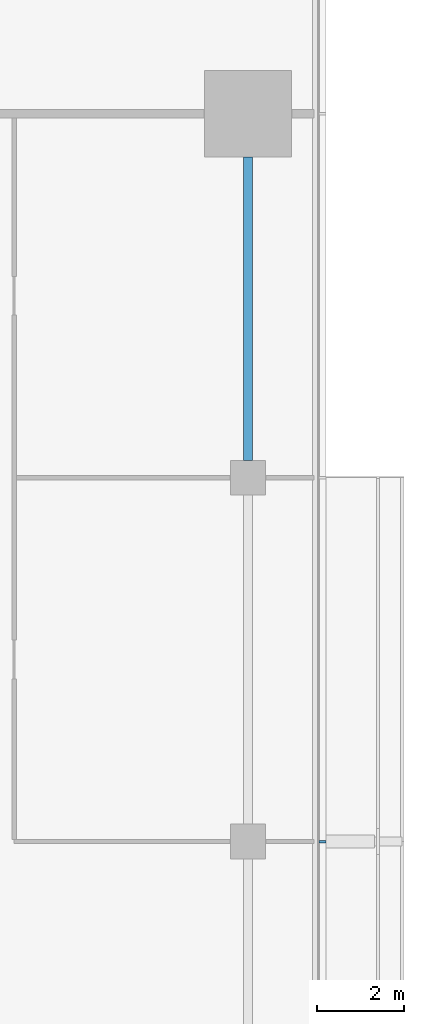
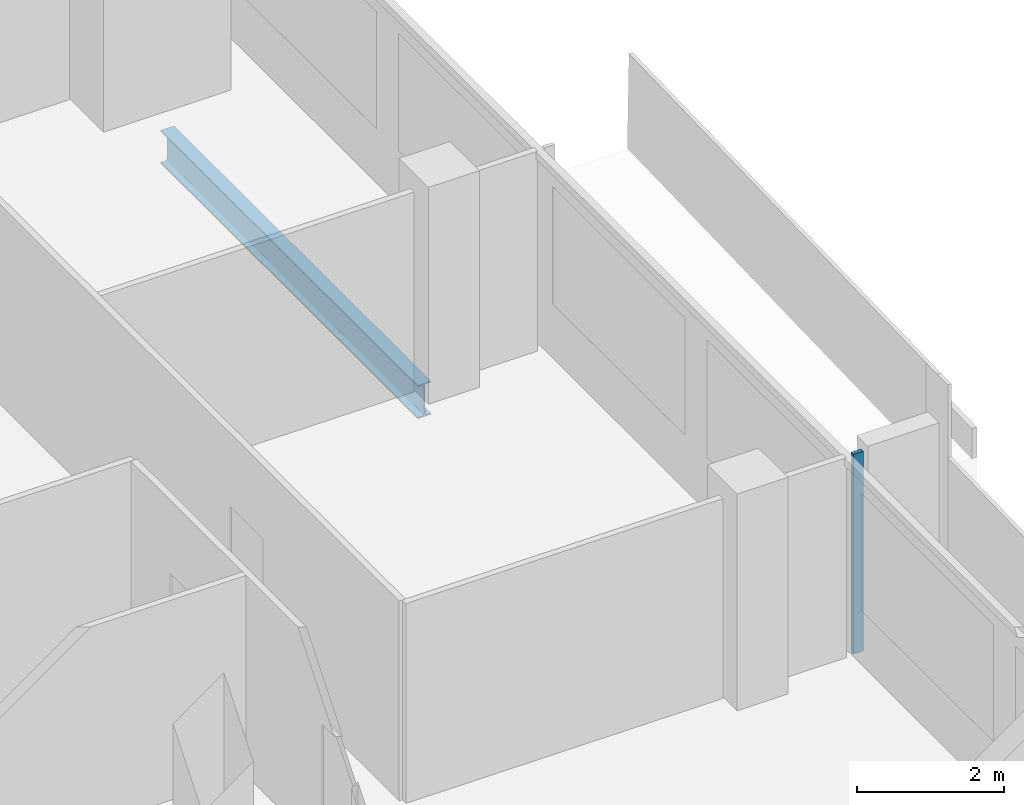
# One storey, part 12 of 27: 1 beam, 1 member, 1 element without a shape of its own.
"""IFC4 building model written with IfcOpenShell, lengths in metres."""

import ifcopenshell
import ifcopenshell.guid

model = None  # the IFC model being written
_history = None  # IfcOwnerHistory: only IFC2X3 demands one
_inside = {}  # id of a spatial element -> (the spatial element, [elements in it])
_under = {}  # id of a project, library or spatial element -> (it, [spatial elements below it])
_declared = {}  # id of a project -> (the project, [libraries it declares])
_typed = {}  # id of a type object -> (the type object, [elements of that type])
_made_of = {}  # id of a material, layer set ... -> (it, [elements and type objects made of it])


def new_model(schema):
    """Start an empty IFC model of exactly this schema.

    Asked for "IFC4X3", IfcOpenShell would pick the latest addendum, in which some entities
    have other attributes; the version numbers below select the first issue.
    IFC2X3 requires an IfcOwnerHistory on every rooted entity: one is made here for all.
    """
    global model, _history
    if schema == "IFC4X3":
        model = ifcopenshell.file(schema_version=(4, 3, 0, 0))
    else:
        model = ifcopenshell.file(schema=schema)
    _inside.clear()
    _under.clear()
    _declared.clear()
    _typed.clear()
    _made_of.clear()
    _history = None
    if model.schema == "IFC2X3":
        org = make("IfcOrganization", Name="unknown")
        user = make(
            "IfcPersonAndOrganization",
            ThePerson=make("IfcPerson", FamilyName="unknown"),
            TheOrganization=org,
        )
        app = make(
            "IfcApplication",
            ApplicationDeveloper=org,
            Version="unknown",
            ApplicationFullName="unknown",
            ApplicationIdentifier="unknown",
        )
        _history = make(
            "IfcOwnerHistory",
            OwningUser=user,
            OwningApplication=app,
            ChangeAction="ADDED",
            CreationDate=0,
        )
    return model


def make(cls, **values):
    """One entity of the class cls with the attributes given. An attribute that is None is left unset."""
    return model.create_entity(
        cls, **{name: value for name, value in values.items() if value is not None}
    )


def rooted(cls, **values):
    """An entity with a GlobalId (a new one), such as an element, a storey or a relation."""
    return make(cls, GlobalId=ifcopenshell.guid.new(), OwnerHistory=_history, **values)


def si_unit(unit_type, name, prefix=None):
    """IfcSIUnit, for example si_unit("LENGTHUNIT", "METRE", prefix="MILLI")."""
    return make("IfcSIUnit", UnitType=unit_type, Prefix=prefix, Name=name)


def assignment(units):
    """IfcUnitAssignment: the units of a project."""
    return None if units is None else make("IfcUnitAssignment", Units=units)


def point(xyz):
    """IfcCartesianPoint."""
    return None if xyz is None else make("IfcCartesianPoint", Coordinates=xyz)


def direction(xyz):
    """IfcDirection."""
    return None if xyz is None else make("IfcDirection", DirectionRatios=xyz)


def frame(location, z_axis=None, x_axis=None):
    """IfcAxis2Placement3D, a coordinate frame: its origin and axes. An axis left out is left unset."""
    return make(
        "IfcAxis2Placement3D",
        Location=point(location),
        Axis=direction(z_axis),
        RefDirection=direction(x_axis),
    )


def frame_2d(location, x_axis=None):
    """IfcAxis2Placement2D, a coordinate frame in the plane: its origin and x axis."""
    return make(
        "IfcAxis2Placement2D", Location=point(location), RefDirection=direction(x_axis)
    )


def origin():
    """The frame at (0, 0, 0) with its axes left unset."""
    return frame((0.0, 0.0, 0.0))


def origin_2d():
    """The frame at (0, 0) in the plane with its x axis left unset."""
    return frame_2d((0.0, 0.0))


def place(relative_to, where):
    """IfcLocalPlacement: puts the frame where relative to a parent placement (None: the world)."""
    return make(
        "IfcLocalPlacement", PlacementRelTo=relative_to, RelativePlacement=where
    )


def context(
    kind, dimensions, precision=None, world=None, true_north=None, identifier=None
):
    """IfcGeometricRepresentationContext, for example the 3D "Model" context."""
    return make(
        "IfcGeometricRepresentationContext",
        ContextIdentifier=identifier,
        ContextType=kind,
        CoordinateSpaceDimension=dimensions,
        Precision=precision,
        WorldCoordinateSystem=world,
        TrueNorth=true_north,
    )


def subcontext(parent, identifier, kind, view, scale=None):
    """IfcGeometricRepresentationSubContext, for example "Body" below "Model"."""
    return make(
        "IfcGeometricRepresentationSubContext",
        ContextIdentifier=identifier,
        ContextType=kind,
        ParentContext=parent,
        TargetScale=scale,
        TargetView=view,
    )


def project(units=None, contexts=None):
    """IfcProject with its units and contexts."""
    return rooted(
        "IfcProject",
        Name="project",
        RepresentationContexts=contexts,
        UnitsInContext=assignment(units),
    )


def spatial(cls, under=None, at=None, **own):
    """A site, building, storey or space (cls), placed at a placement, below another one or the project."""
    s = rooted(cls, ObjectPlacement=at, **own)
    if under is not None:
        _under.setdefault(under.id(), (under, []))[1].append(s)
    return s


def profile(cls, at=None, kind="AREA", **sizes):
    """A parametric profile (cls). Its sizes go by their IFC names, for example OverallWidth=200.0."""
    return make(cls, ProfileType=kind, Position=at, **sizes)


def rectangle(**sizes):
    """IfcRectangleProfileDef."""
    return profile("IfcRectangleProfileDef", **sizes)


def i_section(**sizes):
    """IfcIShapeProfileDef."""
    return profile("IfcIShapeProfileDef", **sizes)


def extrude(swept, where, along, depth):
    """IfcExtrudedAreaSolid: the profile swept, set in the frame where, extruded along a direction by depth."""
    return make(
        "IfcExtrudedAreaSolid",
        SweptArea=swept,
        Position=where,
        ExtrudedDirection=direction(along),
        Depth=depth,
    )


def shape(context_of_items, identifier, shape_type, items):
    """IfcShapeRepresentation: the items that make up one representation, for example the "Body"."""
    return make(
        "IfcShapeRepresentation",
        ContextOfItems=context_of_items,
        RepresentationIdentifier=identifier,
        RepresentationType=shape_type,
        Items=items,
    )


def material(Name=None, Category=None):
    """IfcMaterial."""
    return make("IfcMaterial", Name=Name, Category=Category)


def material_profile(
    of_material, cross_section, Name=None, Category=None, Priority=None
):
    """IfcMaterialProfile: a cross section and its material."""
    return make(
        "IfcMaterialProfile",
        Name=Name,
        Material=of_material,
        Profile=cross_section,
        Priority=Priority,
        Category=Category,
    )


def profile_set(profiles, Name=None, composite=None):
    """IfcMaterialProfileSet."""
    return make(
        "IfcMaterialProfileSet",
        Name=Name,
        MaterialProfiles=profiles,
        CompositeProfile=composite,
    )


def made_of(thing, what):
    """Note that an element or type object is made of a material, layer set ...; save() writes the relation."""
    if what is not None:
        _made_of.setdefault(what.id(), (what, []))[1].append(thing)
    return thing


def type_object(cls, material=None, **own):
    """A type object (cls), such as IfcWallType, which elements share."""
    return made_of(rooted(cls, **own), material)


def element(
    cls,
    number,
    at=None,
    inside=None,
    cuts=None,
    type_object=None,
    material=None,
    context=None,
    identifier="Body",
    shape_type=None,
    held_by="IfcProductDefinitionShape",
    body=None,
    shapes=None,
    **own,
):
    """One element of the class cls, such as IfcWall. Its Tag is "e" and its number.

    at: its placement. inside: the storey or other place that contains it. cuts: it is an
    opening in that element (IfcRelVoidsElement). A single representation is given by context,
    identifier, shape_type and body (its items); several are given by shapes. held_by: the class
    of the entity that holds the representations. save() writes the other relations.
    """
    e = rooted(cls, Tag="e%d" % number, ObjectPlacement=at, **own)
    if body is not None:
        shapes = [shape(context, identifier, shape_type, body)]
    if shapes is not None:
        e.Representation = make(held_by, Representations=shapes)
    if inside is not None:
        _inside.setdefault(inside.id(), (inside, []))[1].append(e)
    if cuts is not None:
        rooted(
            "IfcRelVoidsElement", RelatingBuildingElement=cuts, RelatedOpeningElement=e
        )
    if type_object is not None:
        _typed.setdefault(type_object.id(), (type_object, []))[1].append(e)
    return made_of(e, material)


def aggregate(whole, parts):
    """IfcRelAggregates: a whole, such as a stair, and the parts it consists of."""
    return rooted("IfcRelAggregates", RelatingObject=whole, RelatedObjects=parts)


def save(model, path):
    """Write the relations noted so far, then the file.

    IfcRelAggregates (storeys below a building ...), IfcRelContainedInSpatialStructure (elements
    in a storey), IfcRelDefinesByType, IfcRelAssociatesMaterial and IfcRelDeclares: one each for
    every whole, place, type object, material and project.
    """
    for whole, parts in _under.values():
        aggregate(whole, parts)
    for where, things in _inside.values():
        rooted(
            "IfcRelContainedInSpatialStructure",
            RelatedElements=things,
            RelatingStructure=where,
        )
    for kind, things in _typed.values():
        rooted("IfcRelDefinesByType", RelatedObjects=things, RelatingType=kind)
    for what, things in _made_of.values():
        rooted("IfcRelAssociatesMaterial", RelatedObjects=things, RelatingMaterial=what)
    for by, libraries in _declared.values():
        rooted("IfcRelDeclares", RelatingContext=by, RelatedDefinitions=libraries)
    model.write(path)


model = new_model("IFC4")

# Units and contexts
model_context = context("Model", 3, precision=1e-05, world=origin(), true_north=direction((0.0, 1.0)))
body_context = subcontext(model_context, "Body", "Model", "MODEL_VIEW")
ifc_project = project(units=[si_unit("LENGTHUNIT", "METRE"), si_unit("AREAUNIT", "SQUARE_METRE"), si_unit("VOLUMEUNIT", "CUBIC_METRE"), si_unit("PLANEANGLEUNIT", "RADIAN"), si_unit("MASSUNIT", "GRAM", prefix="KILO")], contexts=[model_context])

# Site, building, storey
site_placement = place(None, origin())
site = spatial("IfcSite", under=ifc_project, at=site_placement, CompositionType="ELEMENT")
building_placement = place(site_placement, origin())
building = spatial("IfcBuilding", under=site, at=building_placement, Name="Saffron Gate Tower", CompositionType="ELEMENT")
storey_placement = place(building_placement, frame((0.0, 0.0, 109.64990234375)))
storey = spatial("IfcBuildingStorey", under=building, at=storey_placement, Name="L25", CompositionType="ELEMENT", Elevation=109.64990234375)

# Beam
ifc_material_1 = material(Name="Structural steel S355", Category="steel")
ifc_material_profile_1 = material_profile(ifc_material_1, i_section(OverallWidth=0.2099609375, OverallDepth=0.550048828125, WebThickness=0.010986328125, FlangeThickness=0.01708984375, FilletRadius=0.02392578125, at=origin_2d()))
ifc_profile_set_1 = profile_set([ifc_material_profile_1], Name="Structural steel S355")
beam_type = type_object("IfcBeamType", Name="B13 IPE 550", PredefinedType="SPANDREL", material=ifc_profile_set_1)
beam_placement = place(storey_placement, frame((125.39990234375, 57.39990234375, -0.554931640625), z_axis=(0.0, 1.0, 0.0), x_axis=(-1.0, 0.0, 0.0)))
element("IfcBeam", 1, at=beam_placement, inside=storey, type_object=beam_type, Name="B13 SPANDREL BEAM", PredefinedType="SPANDREL", context=body_context, shape_type="SweptSolid", body=[
    extrude(i_section(OverallWidth=0.2099609375, OverallDepth=0.550048828125, WebThickness=0.010986328125, FlangeThickness=0.01708984375, FilletRadius=0.02392578125, at=origin_2d()), origin(), (0.0, 0.0, 1.0), 7.0),
])

# Curtain wall, member
ifc_material_2 = material(Name="Aluminium, bronze anodised", Category="aluminium")
curtain_wall_type = type_object("IfcCurtainWallType", Name="CWS2 curtain wall side facades", PredefinedType="NOTDEFINED", material=ifc_material_2)
curtain_wall_placement = place(storey_placement, origin())
curtain_wall = element("IfcCurtainWall", 2, at=curtain_wall_placement, inside=storey, type_object=curtain_wall_type, Name="CWS2 run 4", PredefinedType="NOTDEFINED")
ifc_material_profile_2 = material_profile(ifc_material_2, rectangle(XDim=0.159912109375, YDim=0.06005859375, at=origin_2d()))
ifc_profile_set_2 = profile_set([ifc_material_profile_2], Name="Aluminium, bronze anodised")
member_type = type_object("IfcMemberType", Name="CWS2 mullion 60x160", PredefinedType="MULLION", material=ifc_profile_set_2)
member_placement = place(storey_placement, frame((127.1201171875, 48.60009765625, 0.0), z_axis=(0.0, 0.0, 1.0), x_axis=(-1.0, 0.0, 0.0)))
member = element("IfcMember", 3, at=member_placement, type_object=member_type, Name="CWS2 mullion 3", PredefinedType="MULLION", context=body_context, shape_type="SweptSolid", body=[
    extrude(rectangle(XDim=0.159912109375, YDim=0.06005859375, at=origin_2d()), origin(), (0.0, 0.0, 1.0), 3.320068359375),
])
aggregate(curtain_wall, [member])

save(model, "model.ifc")
